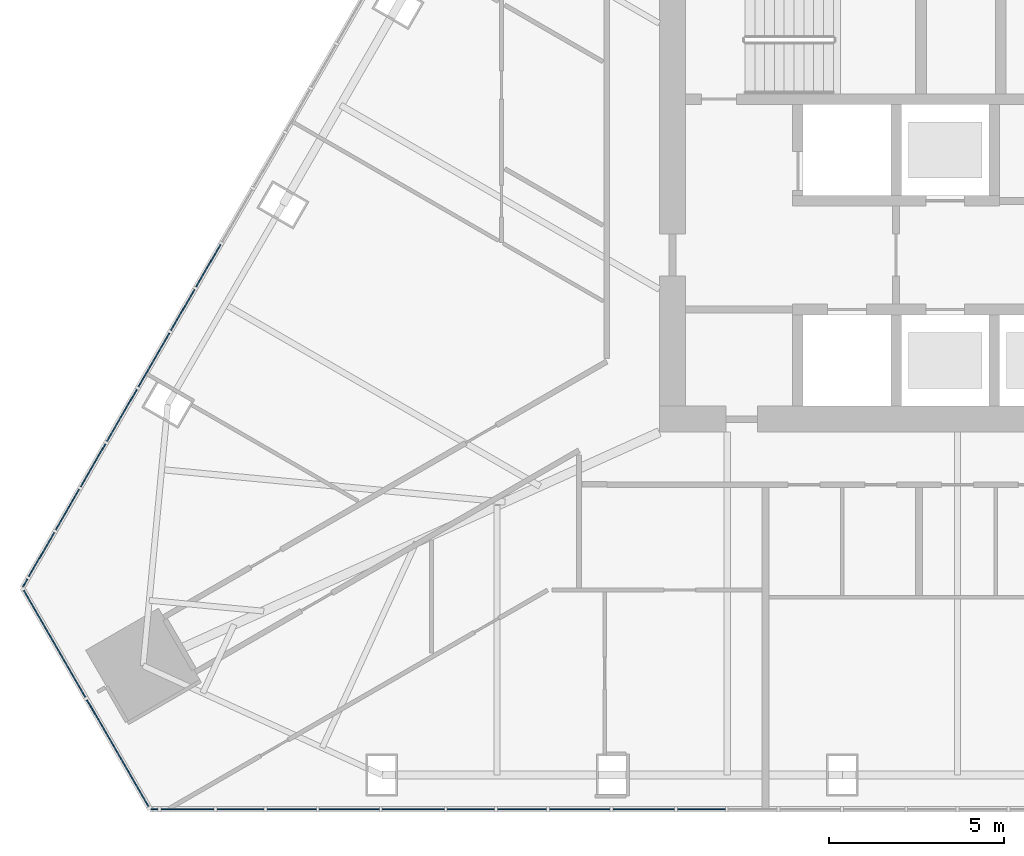
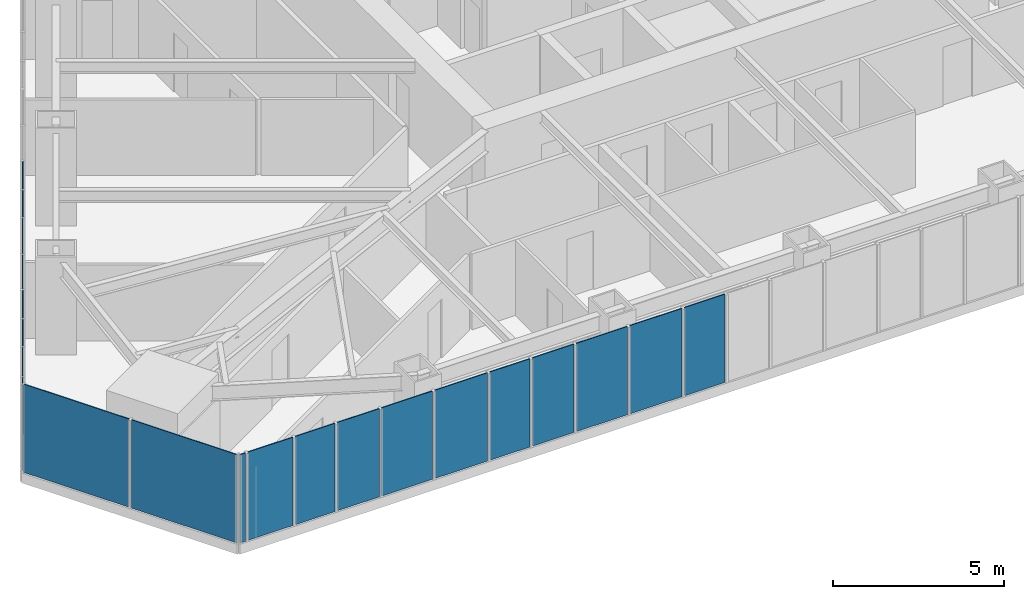
# One storey, part 11 of 21: 21 plates, 3 elements without a shape of their own.
"""IFC4 building model written with IfcOpenShell, lengths in metres."""

from ifc_helpers import new_model, si_unit, direction, frame, origin, place, context, subcontext, project, spatial, polyline, outline, extrude, material, layer, layer_set, type_object, element, aggregate, save


model = new_model("IFC4")

# Units and contexts
model_context = context("Model", 3, precision=1e-05, world=origin(), true_north=direction((0.0, 1.0)))
body_context = subcontext(model_context, "Body", "Model", "MODEL_VIEW")
ifc_project = project(units=[si_unit("LENGTHUNIT", "METRE"), si_unit("AREAUNIT", "SQUARE_METRE"), si_unit("VOLUMEUNIT", "CUBIC_METRE"), si_unit("PLANEANGLEUNIT", "RADIAN"), si_unit("MASSUNIT", "GRAM", prefix="KILO")], contexts=[model_context])

# Site, building, storey
site_placement = place(None, origin())
site = spatial("IfcSite", under=ifc_project, at=site_placement, CompositionType="ELEMENT")
building_placement = place(site_placement, origin())
building = spatial("IfcBuilding", under=site, at=building_placement, Name="Firuza Gate Tower and Library", CompositionType="ELEMENT")
storey_placement = place(building_placement, frame((0.0, 0.0, 274.10009765625)))
storey = spatial("IfcBuildingStorey", under=building, at=storey_placement, Name="L65", CompositionType="ELEMENT", Elevation=274.10009765625)

# Curtain wall, plates
ifc_material_1 = material(Name="Aluminium 6063-T6", Category="aluminium")
ifc_layer_1 = layer(ifc_material_1, 0.14990234375)
ifc_layer_set_1 = layer_set([ifc_layer_1], Name="Corner curtain wall, chamfers")
curtain_wall_type_1 = type_object("IfcCurtainWallType", Name="Corner curtain wall, chamfers", PredefinedType="NOTDEFINED", material=ifc_layer_set_1)
placement = place(storey_placement, origin())
curtain_wall_1 = element("IfcCurtainWall", 1, at=placement, inside=storey, type_object=curtain_wall_type_1, Name="CW4 L65 SW corner", PredefinedType="NOTDEFINED")
ifc_material_2 = material(Name="Fritted glass", Category="glass")
ifc_layer_2 = layer(ifc_material_2, 0.030029296875)
ifc_layer_set_2 = layer_set([ifc_layer_2], Name="Fritted glass unit, corners")
plate_type_1 = type_object("IfcPlateType", Name="Fritted glass unit, corners", PredefinedType="CURTAIN_PANEL", material=ifc_layer_set_2)
plate_1_placement = place(storey_placement, frame((48.341796875, 63.76953125, 0.14990234375), z_axis=(-0.866046390552, -0.49996364809, 0.0), x_axis=(0.49996364809, -0.866046390552, 0.0)))
plate_1 = element("IfcPlate", 2, at=plate_1_placement, type_object=plate_type_1, Name="Glass unit", PredefinedType="CURTAIN_PANEL", context=body_context, shape_type="SweptSolid", body=[
    extrude(outline(polyline([(0.0, 0.0), (3.563247342942594, 0.0), (3.563247342942594, 3.14990234375), (0.0, 3.14990234375), (0.0, 0.0)])), origin(), (0.0, 0.0, -1.0), 0.030029296875),
])
plate_2_placement = place(storey_placement, frame((50.163330078125, 60.614501953125, 0.14990234375), z_axis=(-0.866016723041, -0.500015035186, 0.0), x_axis=(0.500015035186, -0.866016723041, 0.0)))
plate_2 = element("IfcPlate", 3, at=plate_2_placement, type_object=plate_type_1, Name="Glass unit", PredefinedType="CURTAIN_PANEL", context=body_context, shape_type="SweptSolid", body=[
    extrude(outline(polyline([(0.0, 0.0), (3.5633694106530625, 0.0), (3.5633694106530625, 3.14990234375), (0.0, 3.14990234375), (0.0, 0.0)])), origin(), (0.0, 0.0, -1.0), 0.030029296875),
])
aggregate(curtain_wall_1, [plate_1, plate_2])

ifc_material_3 = material(Name="Aluminium 6063-T6", Category="aluminium")
ifc_layer_3 = layer(ifc_material_3, 0.14990234375)
ifc_layer_set_3 = layer_set([ifc_layer_3], Name="Unitised curtain wall, residences")
curtain_wall_type_2 = type_object("IfcCurtainWallType", Name="Unitised curtain wall, residences", PredefinedType="NOTDEFINED", material=ifc_layer_set_3)
curtain_wall_2 = element("IfcCurtainWall", 4, at=placement, inside=storey, type_object=curtain_wall_type_2, Name="CW3 L65 S face", PredefinedType="NOTDEFINED")
ifc_material_4 = material(Name="Fritted glass", Category="glass")
ifc_layer_4 = layer(ifc_material_4, 0.030029296875)
ifc_layer_set_4 = layer_set([ifc_layer_4], Name="Fritted glass unit, residences")
plate_type_2 = type_object("IfcPlateType", Name="Fritted glass unit, residences", PredefinedType="CURTAIN_PANEL", material=ifc_layer_set_4)
plate_3_placement = place(storey_placement, frame((52.2841796875, 57.486328125, 0.14990234375), z_axis=(0.0, -1.0, 0.0), x_axis=(1.0, 0.0, 0.0)))
plate_3 = element("IfcPlate", 5, at=plate_3_placement, type_object=plate_type_2, Name="Glass unit", PredefinedType="CURTAIN_PANEL", context=body_context, shape_type="SweptSolid", body=[
    extrude(outline(polyline([(0.0, 0.0), (1.521484375, 0.0), (1.521484375, 3.14990234375), (0.0, 3.14990234375), (0.0, 0.0)])), origin(), (0.0, 0.0, -1.0), 0.030029296875),
])
plate_4_placement = place(storey_placement, frame((56.80224609375, 57.486328125, 0.14990234375), z_axis=(0.0, -1.0, 0.0), x_axis=(1.0, 0.0, 0.0)))
plate_4 = element("IfcPlate", 6, at=plate_4_placement, type_object=plate_type_2, Name="Glass unit", PredefinedType="CURTAIN_PANEL", context=body_context, shape_type="SweptSolid", body=[
    extrude(outline(polyline([(0.0, 0.0), (1.71337890625, 0.0), (1.71337890625, 3.14990234375), (0.0, 3.14990234375), (0.0, 0.0)])), origin(), (0.0, 0.0, -1.0), 0.030029296875),
])
plate_5_placement = place(storey_placement, frame((58.595703125, 57.486328125, 0.14990234375), z_axis=(0.0, -1.0, 0.0), x_axis=(1.0, 0.0, 0.0)))
plate_5 = element("IfcPlate", 7, at=plate_5_placement, type_object=plate_type_2, Name="Glass unit", PredefinedType="CURTAIN_PANEL", context=body_context, shape_type="SweptSolid", body=[
    extrude(outline(polyline([(0.0, 0.0), (1.775390625, 0.0), (1.775390625, 3.14990234375), (0.0, 3.14990234375), (0.0, 0.0)])), origin(), (0.0, 0.0, -1.0), 0.030029296875),
])
plate_6_placement = place(storey_placement, frame((63.367431640625, 57.486328125, 0.14990234375), z_axis=(0.0, -1.0, 0.0), x_axis=(1.0, 0.0, 0.0)))
plate_6 = element("IfcPlate", 8, at=plate_6_placement, type_object=plate_type_2, Name="Glass unit", PredefinedType="CURTAIN_PANEL", context=body_context, shape_type="SweptSolid", body=[
    extrude(outline(polyline([(0.0, 0.0), (1.72607421875, 0.0), (1.72607421875, 3.14990234375), (0.0, 3.14990234375), (0.0, 0.0)])), origin(), (0.0, 0.0, -1.0), 0.030029296875),
])
plate_7_placement = place(storey_placement, frame((65.17333984375, 57.486328125, 0.14990234375), z_axis=(0.0, -1.0, 0.0), x_axis=(1.0, 0.0, 0.0)))
plate_7 = element("IfcPlate", 9, at=plate_7_placement, type_object=plate_type_2, Name="Glass unit", PredefinedType="CURTAIN_PANEL", context=body_context, shape_type="SweptSolid", body=[
    extrude(outline(polyline([(0.0, 0.0), (1.76318359375, 0.0), (1.76318359375, 3.14990234375), (0.0, 3.14990234375), (0.0, 0.0)])), origin(), (0.0, 0.0, -1.0), 0.030029296875),
])

curtain_wall_3 = element("IfcCurtainWall", 10, at=placement, inside=storey, type_object=curtain_wall_type_2, Name="CW3 L65 W face", PredefinedType="NOTDEFINED")
plate_8_placement = place(storey_placement, frame((52.518310546875, 71.087890625, 0.14990234375), z_axis=(-0.866034453953, 0.499984324321, 0.0), x_axis=(-0.499984324321, -0.866034453953, 0.0)))
plate_8 = element("IfcPlate", 11, at=plate_8_placement, type_object=plate_type_2, Name="Glass unit", PredefinedType="CURTAIN_PANEL", context=body_context, shape_type="SweptSolid", body=[
    extrude(outline(polyline([(0.0, 0.0), (1.7754462876527597, 0.0), (1.7754462876527597, 3.14990234375), (0.0, 3.14990234375), (0.0, 0.0)])), origin(), (0.0, 0.0, -1.0), 0.030029296875),
])
plate_9_placement = place(storey_placement, frame((51.590576171875, 69.48095703125, 0.14990234375), z_axis=(-0.866033729024, 0.499985579985, 0.0), x_axis=(-0.499985579985, -0.866033729024, 0.0)))
plate_9 = element("IfcPlate", 12, at=plate_9_placement, type_object=plate_type_2, Name="Glass unit", PredefinedType="CURTAIN_PANEL", context=body_context, shape_type="SweptSolid", body=[
    extrude(outline(polyline([(0.0, 0.0), (1.7134283215758555, 0.0), (1.7134283215758555, 3.1499023437499996), (0.0, 3.1499023437499996), (0.0, 0.0)])), origin(), (0.0, 0.0, -1.0), 0.030029296875),
])
plate_10_placement = place(storey_placement, frame((49.235595703125, 65.402099609375, 0.14990234375), z_axis=(-0.866037657489, 0.499978775361, 0.0), x_axis=(-0.499978775361, -0.866037657489, 0.0)))
plate_10 = element("IfcPlate", 13, at=plate_10_placement, type_object=plate_type_2, Name="Glass unit", PredefinedType="CURTAIN_PANEL", context=body_context, shape_type="SweptSolid", body=[
    extrude(outline(polyline([(0.0, 0.0), (1.4566048005727479, 0.0), (1.4566048005727479, 3.14990234375), (0.0, 3.14990234375), (0.0, 0.0)])), origin(), (0.0, 0.0, -1.0), 0.030029296875),
])

# Plate
ifc_material_5 = material(Name="Glazed ceramic tile")
ifc_layer_5 = layer(ifc_material_5, 0.030029296875)
ifc_layer_set_5 = layer_set([ifc_layer_5], Name="Opaque ceramic panel, residences")
plate_type_3 = type_object("IfcPlateType", Name="Opaque ceramic panel, residences", PredefinedType="CURTAIN_PANEL", material=ifc_layer_set_5)
plate_11_placement = place(storey_placement, frame((52.01806640625, 57.486328125, 0.14990234375), z_axis=(0.0, -1.0, 0.0), x_axis=(1.0, 0.0, 0.0)))
plate_11 = element("IfcPlate", 14, at=plate_11_placement, type_object=plate_type_3, Name="Opaque ceramic panel", PredefinedType="CURTAIN_PANEL", context=body_context, shape_type="SweptSolid", body=[
    extrude(outline(polyline([(0.0, 0.0), (0.18603515625, 0.0), (0.18603515625, 3.14990234375), (0.0, 3.14990234375), (0.0, 0.0)])), origin(), (0.0, 0.0, -1.0), 0.030029296875),
])

plate_12_placement = place(storey_placement, frame((53.8857421875, 57.486328125, 0.14990234375), z_axis=(0.0, -1.0, 0.0), x_axis=(1.0, 0.0, 0.0)))
plate_12 = element("IfcPlate", 15, at=plate_12_placement, type_object=plate_type_3, Name="Opaque ceramic panel", PredefinedType="CURTAIN_PANEL", context=body_context, shape_type="SweptSolid", body=[
    extrude(outline(polyline([(0.0, 0.0), (1.341064453125, 0.0), (1.341064453125, 3.14990234375), (0.0, 3.14990234375), (0.0, 0.0)])), origin(), (0.0, 0.0, -1.0), 0.030029296875),
])

plate_13_placement = place(storey_placement, frame((55.306884765625, 57.486328125, 0.14990234375), z_axis=(0.0, -1.0, 0.0), x_axis=(1.0, 0.0, 0.0)))
plate_13 = element("IfcPlate", 16, at=plate_13_placement, type_object=plate_type_3, Name="Opaque ceramic panel", PredefinedType="CURTAIN_PANEL", context=body_context, shape_type="SweptSolid", body=[
    extrude(outline(polyline([(0.0, 0.0), (1.415283203125, 0.0), (1.415283203125, 3.14990234375), (0.0, 3.14990234375), (0.0, 0.0)])), origin(), (0.0, 0.0, -1.0), 0.030029296875),
])

plate_14_placement = place(storey_placement, frame((60.451171875, 57.486328125, 0.14990234375), z_axis=(0.0, -1.0, 0.0), x_axis=(1.0, 0.0, 0.0)))
plate_14 = element("IfcPlate", 17, at=plate_14_placement, type_object=plate_type_3, Name="Opaque ceramic panel", PredefinedType="CURTAIN_PANEL", context=body_context, shape_type="SweptSolid", body=[
    extrude(outline(polyline([(0.0, 0.0), (1.353515625, 0.0), (1.353515625, 3.14990234375), (0.0, 3.14990234375), (0.0, 0.0)])), origin(), (0.0, 0.0, -1.0), 0.030029296875),
])

plate_15_placement = place(storey_placement, frame((61.884521484375, 57.486328125, 0.14990234375), z_axis=(0.0, -1.0, 0.0), x_axis=(1.0, 0.0, 0.0)))
plate_15 = element("IfcPlate", 18, at=plate_15_placement, type_object=plate_type_3, Name="Opaque ceramic panel", PredefinedType="CURTAIN_PANEL", context=body_context, shape_type="SweptSolid", body=[
    extrude(outline(polyline([(0.0, 0.0), (1.403076171875, 0.0), (1.403076171875, 3.14990234375), (0.0, 3.14990234375), (0.0, 0.0)])), origin(), (0.0, 0.0, -1.0), 0.030029296875),
])

plate_16_placement = place(storey_placement, frame((67.016357421875, 57.486328125, 0.14990234375), z_axis=(0.0, -1.0, 0.0), x_axis=(1.0, 0.0, 0.0)))
plate_16 = element("IfcPlate", 19, at=plate_16_placement, type_object=plate_type_3, Name="Opaque ceramic panel", PredefinedType="CURTAIN_PANEL", context=body_context, shape_type="SweptSolid", body=[
    extrude(outline(polyline([(0.0, 0.0), (1.365966796875, 0.0), (1.365966796875, 3.14990234375), (0.0, 3.14990234375), (0.0, 0.0)])), origin(), (0.0, 0.0, -1.0), 0.030029296875),
])

aggregate(curtain_wall_2, [plate_11, plate_3, plate_12, plate_13, plate_4, plate_5, plate_14, plate_15, plate_6, plate_7, plate_16])

plate_17_placement = place(storey_placement, frame((53.9765625, 73.613525390625, 0.14990234375), z_axis=(-0.865985641702, 0.500068863623, 0.0), x_axis=(-0.500068863623, -0.865985641702, 0.0)))
plate_17 = element("IfcPlate", 20, at=plate_17_placement, type_object=plate_type_3, Name="Opaque ceramic panel", PredefinedType="CURTAIN_PANEL", context=body_context, shape_type="SweptSolid", body=[
    extrude(outline(polyline([(0.0, 0.0), (1.4031270636732391, 0.0), (1.4031270636732391, 3.14990234375), (0.0, 3.14990234375), (0.0, 0.0)])), origin(), (0.0, 0.0, -1.0), 0.030029296875),
])

plate_18_placement = place(storey_placement, frame((53.235107421875, 72.329345703125, 0.14990234375), z_axis=(-0.86601436245, 0.500019123664, 0.0), x_axis=(-0.500019123664, -0.86601436245, 0.0)))
plate_18 = element("IfcPlate", 21, at=plate_18_placement, type_object=plate_type_3, Name="Opaque ceramic panel", PredefinedType="CURTAIN_PANEL", context=body_context, shape_type="SweptSolid", body=[
    extrude(outline(polyline([(0.0, 0.0), (1.3534638586232268, 0.0), (1.3534638586232268, 3.149902343750001), (0.0, 3.149902343750001), (0.0, 0.0)])), origin(), (0.0, 0.0, -1.0), 0.030029296875),
])

plate_19_placement = place(storey_placement, frame((50.69384765625, 67.927734375, 0.14990234375), z_axis=(-0.865972988205, 0.500090775459, 0.0), x_axis=(-0.500090775459, -0.865972988205, 0.0)))
plate_19 = element("IfcPlate", 22, at=plate_19_placement, type_object=plate_type_3, Name="Opaque ceramic panel", PredefinedType="CURTAIN_PANEL", context=body_context, shape_type="SweptSolid", body=[
    extrude(outline(polyline([(0.0, 0.0), (1.4152704001086636, 0.0), (1.4152704001086636, 3.14990234375), (0.0, 3.14990234375), (0.0, 0.0)])), origin(), (0.0, 0.0, -1.0), 0.030029296875),
])

plate_20_placement = place(storey_placement, frame((49.9462890625, 66.6328125, 0.14990234375), z_axis=(-0.865982457891, 0.500074377092, 0.0), x_axis=(-0.500074377092, -0.865982457891, 0.0)))
plate_20 = element("IfcPlate", 23, at=plate_20_placement, type_object=plate_type_3, Name="Opaque ceramic panel", PredefinedType="CURTAIN_PANEL", context=body_context, shape_type="SweptSolid", body=[
    extrude(outline(polyline([(0.0, 0.0), (1.3411090981597318, 0.0), (1.3411090981597318, 3.14990234375), (0.0, 3.14990234375), (0.0, 0.0)])), origin(), (0.0, 0.0, -1.0), 0.030029296875),
])

plate_21_placement = place(storey_placement, frame((48.46728515625, 64.0712890625, 0.14990234375), z_axis=(-0.866201770413, 0.499694399542, 0.0), x_axis=(-0.499694399542, -0.866201770413, 0.0)))
plate_21 = element("IfcPlate", 24, at=plate_21_placement, type_object=plate_type_3, Name="Opaque ceramic panel", PredefinedType="CURTAIN_PANEL", context=body_context, shape_type="SweptSolid", body=[
    extrude(outline(polyline([(0.0, 0.0), (0.25113005341856437, 0.0), (0.25113005341856437, 3.14990234375), (0.0, 3.14990234375), (0.0, 0.0)])), origin(), (0.0, 0.0, -1.0), 0.030029296875),
])

aggregate(curtain_wall_3, [plate_17, plate_18, plate_8, plate_9, plate_19, plate_20, plate_10, plate_21])

save(model, "model.ifc")
